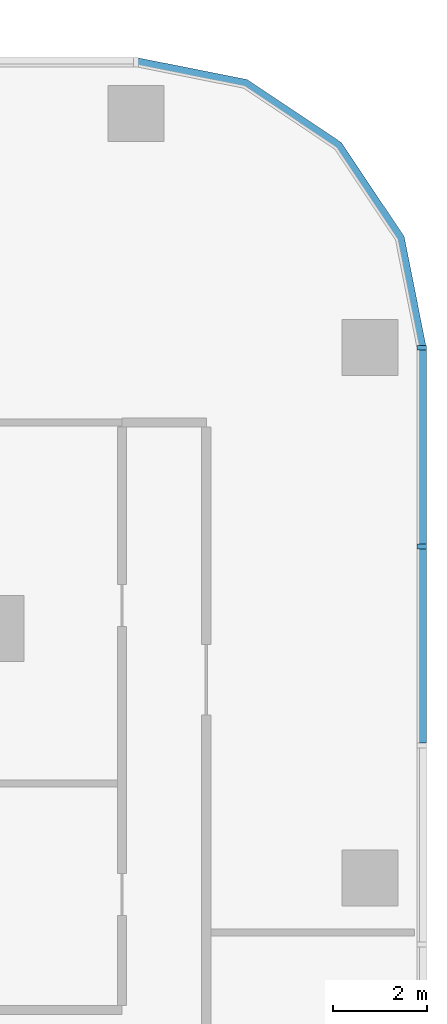
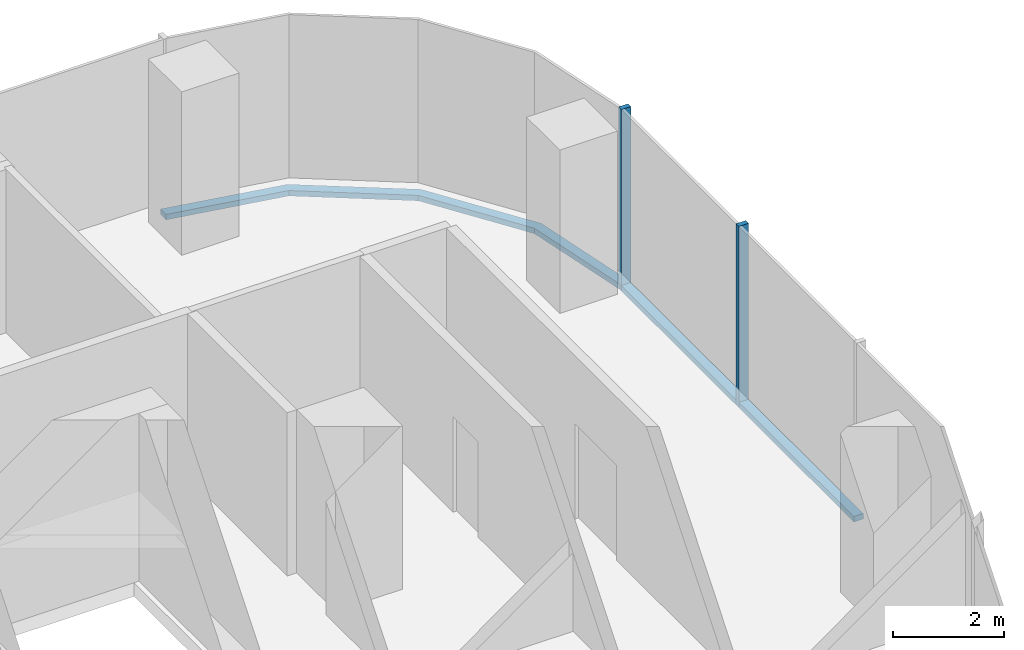
# One storey, part 5 of 14: 5 members, 2 elements without a shape of their own.
"""IFC4 building model written with IfcOpenShell, lengths in metres."""

from ifc_helpers import new_model, si_unit, direction, frame, origin, origin_2d, place, context, subcontext, project, spatial, polyline, rectangle, outline, extrude, material, material_profile, profile_set, type_object, element, aggregate, save


model = new_model("IFC4")

# Units and contexts
model_context = context("Model", 3, precision=1e-05, world=origin(), true_north=direction((0.0, 1.0)))
body_context = subcontext(model_context, "Body", "Model", "MODEL_VIEW")
ifc_project = project(units=[si_unit("LENGTHUNIT", "METRE"), si_unit("AREAUNIT", "SQUARE_METRE"), si_unit("VOLUMEUNIT", "CUBIC_METRE"), si_unit("PLANEANGLEUNIT", "RADIAN"), si_unit("MASSUNIT", "GRAM", prefix="KILO")], contexts=[model_context])

# Site, building, storey
site_placement = place(None, origin())
site = spatial("IfcSite", under=ifc_project, at=site_placement, CompositionType="ELEMENT")
building_placement = place(site_placement, origin())
building = spatial("IfcBuilding", under=site, at=building_placement, Name="Mopane Tessera Tower", CompositionType="ELEMENT")
storey_placement = place(building_placement, frame((0.0, 0.0, 189.0)))
storey = spatial("IfcBuildingStorey", under=building, at=storey_placement, Name="L39", CompositionType="ELEMENT", Elevation=189.0)

# Curtain wall, members
ifc_material_1 = material(Name="Aluminium frame", Category="aluminium")
curtain_wall_type = type_object("IfcCurtainWallType", Name="Unitised curtain wall", PredefinedType="NOTDEFINED", material=ifc_material_1)
curtain_wall_1_placement = place(storey_placement, origin())
curtain_wall_1 = element("IfcCurtainWall", 1, at=curtain_wall_1_placement, inside=storey, type_object=curtain_wall_type, Name="e:cw:L39:E:0", PredefinedType="NOTDEFINED")
ifc_material_2 = material(Name="Aluminium frame", Category="aluminium")
ifc_material_profile_1 = material_profile(ifc_material_2, rectangle(XDim=0.10009765625, YDim=0.199951171875, at=origin_2d()))
ifc_profile_set_1 = profile_set([ifc_material_profile_1], Name="Aluminium frame")
member_type_1 = type_object("IfcMemberType", Name="Aluminium mullion 100 x 200", PredefinedType="MULLION", material=ifc_profile_set_1)
member_1_placement = place(storey_placement, frame((26.300048828125, 12.75, -0.39990234375), z_axis=(0.0, 0.0, 1.0), x_axis=(0.0, 1.0, 0.0)))
member_1 = element("IfcMember", 2, at=member_1_placement, type_object=member_type_1, Name="e:cw:L39:E:0:mu7", PredefinedType="MULLION", context=body_context, shape_type="SweptSolid", body=[
    extrude(rectangle(XDim=0.10009765625, YDim=0.199951171875, at=origin_2d()), origin(), (0.0, 0.0, 1.0), 4.0),
])
member_2_placement = place(storey_placement, frame((26.300048828125, 17.0, -0.39990234375), z_axis=(0.0, 0.0, 1.0), x_axis=(0.0, 1.0, 0.0)))
member_2 = element("IfcMember", 3, at=member_2_placement, type_object=member_type_1, Name="e:cw:L39:E:0:mu8", PredefinedType="MULLION", context=body_context, shape_type="SweptSolid", body=[
    extrude(rectangle(XDim=0.10009765625, YDim=0.199951171875, at=origin_2d()), origin(), (0.0, 0.0, 1.0), 4.0),
])
ifc_material_3 = material(Name="Aluminium frame", Category="aluminium")
ifc_material_profile_2 = material_profile(ifc_material_3, rectangle(XDim=0.199951171875, YDim=0.1201171875, at=origin_2d()))
ifc_profile_set_2 = profile_set([ifc_material_profile_2], Name="Aluminium frame")
member_type_2 = type_object("IfcMemberType", Name="Aluminium transom 200 x 120", PredefinedType="USERDEFINED", material=ifc_profile_set_2)
member_3_placement = place(storey_placement, frame((26.300048828125, 8.550048828125, -0.340087890625), z_axis=(0.0, 1.0, 0.0), x_axis=(-1.0, 0.0, 0.0)))
member_3 = element("IfcMember", 4, at=member_3_placement, type_object=member_type_2, Name="e:cw:L39:E:0:tr6", ObjectType="TRANSOM", PredefinedType="USERDEFINED", context=body_context, shape_type="SweptSolid", body=[
    extrude(rectangle(XDim=0.199951171875, YDim=0.1201171875, at=origin_2d()), origin(), (0.0, 0.0, 1.0), 4.14990234375),
])
member_4_placement = place(storey_placement, frame((26.300048828125, 12.800048828125, -0.340087890625), z_axis=(0.0, 1.0, 0.0), x_axis=(-1.0, 0.0, 0.0)))
member_4 = element("IfcMember", 5, at=member_4_placement, type_object=member_type_2, Name="e:cw:L39:E:0:tr7", ObjectType="TRANSOM", PredefinedType="USERDEFINED", context=body_context, shape_type="SweptSolid", body=[
    extrude(rectangle(XDim=0.199951171875, YDim=0.1201171875, at=origin_2d()), origin(), (0.0, 0.0, 1.0), 4.14990234375),
])
aggregate(curtain_wall_1, [member_1, member_2, member_3, member_4])

# Curtain wall, member
curtain_wall_2_placement = place(storey_placement, origin())
curtain_wall_2 = element("IfcCurtainWall", 6, at=curtain_wall_2_placement, inside=storey, type_object=curtain_wall_type, Name="e:cw:L39:CE", PredefinedType="NOTDEFINED")
member_5_placement = place(storey_placement, frame((0.0, 0.0, -0.39990234375)))
member_5 = element("IfcMember", 7, at=member_5_placement, type_object=member_type_2, Name="e:cw:L39:CE:tr", ObjectType="TRANSOM", PredefinedType="USERDEFINED", context=body_context, shape_type="SweptSolid", body=[
    extrude(outline(polyline([(26.199951171875, 17.0), (25.7431640625, 19.296142578125), (24.442626953125, 21.24267578125), (22.49609375, 22.543212890625), (20.199951171875, 23.0), (20.199951171875, 23.199951171875), (22.57275390625, 22.72802734375), (24.583984375, 21.384033203125), (25.927978515625, 19.37255859375), (26.39990234375, 17.0), (26.199951171875, 17.0)])), origin(), (0.0, 0.0, 1.0), 0.119873046875),
])
aggregate(curtain_wall_2, [member_5])

save(model, "model.ifc")
